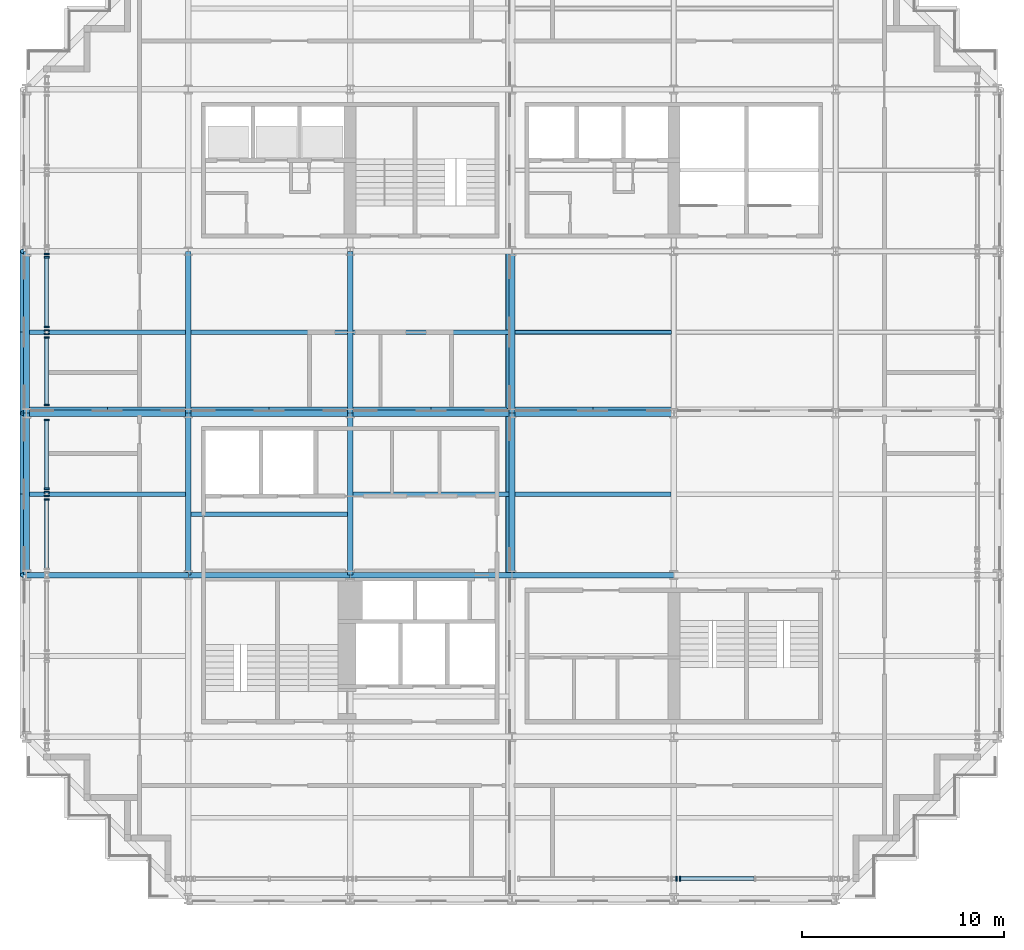
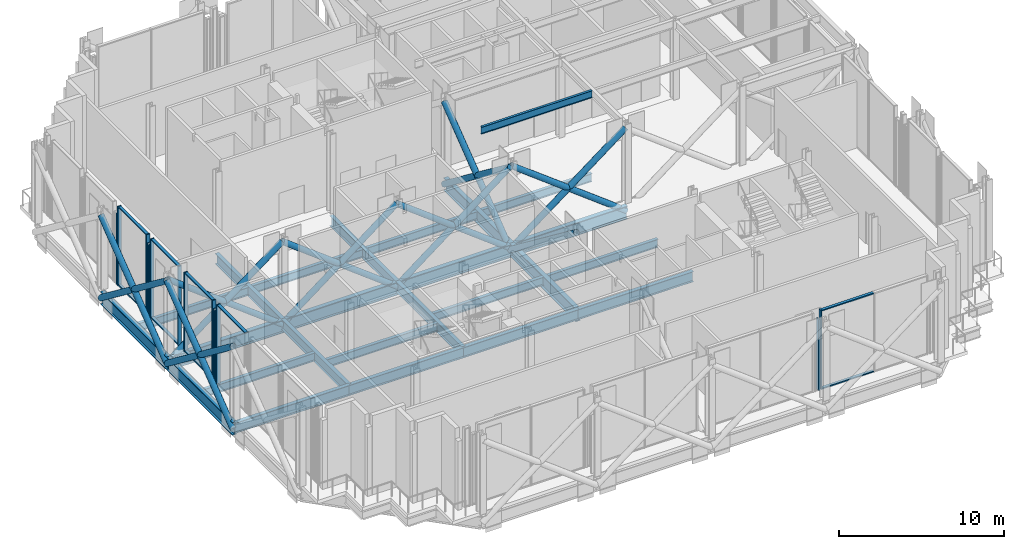
# One storey, part 3 of 25: 38 members, 25 beams, 9 elements without a shape of their own.
"""IFC4 building model written with IfcOpenShell, lengths in metres."""

from ifc_helpers import new_model, si_unit, direction, frame, origin, origin_2d, place, context, subcontext, project, spatial, rectangle, hollow_circle, i_section, extrude, material, material_profile, profile_set, type_object, element, aggregate, save


model = new_model("IFC4")

# Units and contexts
model_context = context("Model", 3, precision=1e-05, world=origin(), true_north=direction((0.0, 1.0)))
body_context = subcontext(model_context, "Body", "Model", "MODEL_VIEW")
ifc_project = project(units=[si_unit("LENGTHUNIT", "METRE"), si_unit("AREAUNIT", "SQUARE_METRE"), si_unit("VOLUMEUNIT", "CUBIC_METRE"), si_unit("PLANEANGLEUNIT", "RADIAN"), si_unit("MASSUNIT", "GRAM", prefix="KILO")], contexts=[model_context])

# Site, building, storey
site_placement = place(None, origin())
site = spatial("IfcSite", under=ifc_project, at=site_placement, CompositionType="ELEMENT")
building_placement = place(site_placement, origin())
building = spatial("IfcBuilding", under=site, at=building_placement, Name="Immortelle Media Tower", CompositionType="ELEMENT")
storey_placement = place(building_placement, frame((0.0, 0.0, 114.0)))
storey = spatial("IfcBuildingStorey", under=building, at=storey_placement, Name="L22", CompositionType="ELEMENT", Elevation=114.0)

# Members
ifc_material_1 = material(Name="Steel ASTM A500 Gr C", Category="steel")
ifc_material_profile_1 = material_profile(ifc_material_1, hollow_circle(Radius=0.202880859375, WallThickness=0.011962890625, at=origin_2d()), Name="HSS16.000x0.500 truss diagonal")
ifc_profile_set_1 = profile_set([ifc_material_profile_1], Name="Steel ASTM A500 Gr C")
member_type_1 = type_object("IfcMemberType", Name="HSS16.000x0.500 truss diagonal", PredefinedType="BRACE", material=ifc_profile_set_1)
for number, where, z_axis, x_axis, name in (
    (1, (-0.113037109375, 16.0, -0.72509765625), (0.0, 0.794648909693, 0.607069279674), (-1.0, 0.0, 0.0), "Belt truss 1/C-D A"),
    (2, (-0.113037109375, 16.0, 5.386474609375), (0.0, 0.794648909693, -0.607069279674), (-1.0, 0.0, 0.0), "Belt truss 1/C-D B"),
    (3, (0.0, 24.113037109375, -0.72509765625), (0.794648909693, 0.0, 0.607069279674), (0.0, 1.0, 0.0), "Belt truss D/1-2 A"),
    (4, (0.0, 24.113037109375, 5.386474609375), (0.794648909693, 0.0, -0.607069279674), (0.0, 1.0, 0.0), "Belt truss D/1-2 B"),
    (5, (-0.113037109375, 24.0, -0.72509765625), (0.0, 0.794648909693, 0.607069279674), (-1.0, 0.0, 0.0), "Belt truss 1/D-E A"),
    (6, (-0.113037109375, 24.0, 5.386474609375), (0.0, 0.794648909693, -0.607069279674), (-1.0, 0.0, 0.0), "Belt truss 1/D-E B"),
    (7, (8.0, 24.113037109375, -0.72509765625), (0.794648909693, 0.0, 0.607069279674), (0.0, 1.0, 0.0), "Belt truss D/2-3 A"),
    (8, (8.0, 24.113037109375, 5.386474609375), (0.794648909693, 0.0, -0.607069279674), (0.0, 1.0, 0.0), "Belt truss D/2-3 B"),
    (9, (16.0, 24.113037109375, -0.72509765625), (0.794648909693, 0.0, 0.607069279674), (0.0, 1.0, 0.0), "Belt truss D/3-4 A"),
    (10, (16.0, 24.113037109375, 5.386474609375), (0.794648909693, 0.0, -0.607069279674), (0.0, 1.0, 0.0), "Belt truss D/3-4 B"),
    (11, (23.886962890625, 16.0, 5.386474609375), (0.0, 0.794648909693, -0.607069279674), (-1.0, 0.0, 0.0), "Belt truss 4/C-D B"),
    (12, (24.0, 24.113037109375, -0.72509765625), (0.794648909693, 0.0, 0.607069279674), (0.0, 1.0, 0.0), "Belt truss D/4-5 A"),
    (13, (24.0, 24.113037109375, 5.386474609375), (0.794648909693, 0.0, -0.607069279674), (0.0, 1.0, 0.0), "Belt truss D/4-5 B"),
    (14, (23.886962890625, 24.0, -0.72509765625), (0.0, 0.794648909693, 0.607069279674), (-1.0, 0.0, 0.0), "Belt truss 4/D-E A"),
    (15, (23.886962890625, 24.0, 5.386474609375), (0.0, 0.794648909693, -0.607069279674), (-1.0, 0.0, 0.0), "Belt truss 4/D-E B"),
):
    element("IfcMember", number, at=place(storey_placement, frame(where, z_axis=z_axis, x_axis=x_axis)), inside=storey, type_object=member_type_1, Name=name, PredefinedType="BRACE", context=body_context, shape_type="SweptSolid", body=[
        extrude(hollow_circle(Radius=0.202880859375, WallThickness=0.011962890625, at=origin_2d()), origin(), (0.0, 0.0, 1.0), 10.0673828125),
    ])

# Curtain wall, member
ifc_material_2 = material(Name="Aluminium curtain wall system", Category="aluminium")
curtain_wall_type = type_object("IfcCurtainWallType", Name="Plant louvre wall curtain wall", PredefinedType="NOTDEFINED", material=ifc_material_2)
curtain_wall_1_placement = place(storey_placement, origin())
curtain_wall_1 = element("IfcCurtainWall", 16, at=curtain_wall_1_placement, inside=storey, type_object=curtain_wall_type, Name="Plant louvre wall L22 S 7-8", PredefinedType="NOTDEFINED")
ifc_material_3 = material(Name="Aluminium 6063-T6", Category="aluminium")
ifc_material_profile_2 = material_profile(ifc_material_3, rectangle(XDim=0.25, YDim=0.080078125, at=origin_2d()), Name="AL 80x250")
ifc_profile_set_2 = profile_set([ifc_material_profile_2], Name="Aluminium 6063-T6")
member_type_2 = type_object("IfcMemberType", Name="Plant louvre wall mullion 80 x 250", PredefinedType="MULLION", material=ifc_profile_set_2)
member_1_placement = place(storey_placement, frame((32.12451171875, 1.0, 0.0), z_axis=(0.0, 0.0, 1.0), x_axis=(0.0, 1.0, 0.0)))
member_1 = element("IfcMember", 17, at=member_1_placement, type_object=member_type_2, Name="CW6 mullion 2", PredefinedType="MULLION", context=body_context, shape_type="SweptSolid", body=[
    extrude(rectangle(XDim=0.25, YDim=0.080078125, at=origin_2d()), origin(), (0.0, 0.0, 1.0), 5.237548828125),
])
aggregate(curtain_wall_1, [member_1])

curtain_wall_2_placement = place(storey_placement, origin())
curtain_wall_2 = element("IfcCurtainWall", 18, at=curtain_wall_2_placement, inside=storey, type_object=curtain_wall_type, Name="Plant louvre wall L22 S 7-9", PredefinedType="NOTDEFINED")
member_2_placement = place(storey_placement, frame((32.29443359375, 1.0, 0.0), z_axis=(0.0, 0.0, 1.0), x_axis=(0.0, 1.0, 0.0)))
member_2 = element("IfcMember", 19, at=member_2_placement, type_object=member_type_2, Name="CW6 mullion 1", PredefinedType="MULLION", context=body_context, shape_type="SweptSolid", body=[
    extrude(rectangle(XDim=0.25, YDim=0.080078125, at=origin_2d()), origin(), (0.0, 0.0, 1.0), 5.849609375),
])

curtain_wall_3_placement = place(storey_placement, origin())
curtain_wall_3 = element("IfcCurtainWall", 20, at=curtain_wall_3_placement, inside=storey, type_object=curtain_wall_type, Name="Plant louvre wall L22 W 28-7", PredefinedType="NOTDEFINED")
member_3_placement = place(storey_placement, frame((1.0, 31.87548828125, 0.0), z_axis=(0.0, 0.0, 1.0), x_axis=(1.0, 0.0, 0.0)))
member_3 = element("IfcMember", 21, at=member_3_placement, type_object=member_type_2, Name="CW6 mullion 2", PredefinedType="MULLION", context=body_context, shape_type="SweptSolid", body=[
    extrude(rectangle(XDim=0.25, YDim=0.080078125, at=origin_2d()), origin(), (0.0, 0.0, 1.0), 5.237548828125),
])
aggregate(curtain_wall_3, [member_3])

# Curtain wall, members
curtain_wall_4_placement = place(storey_placement, origin())
curtain_wall_4 = element("IfcCurtainWall", 22, at=curtain_wall_4_placement, inside=storey, type_object=curtain_wall_type, Name="Plant louvre wall L22 W 28-8", PredefinedType="NOTDEFINED")
member_4_placement = place(storey_placement, frame((1.0, 31.70556640625, 0.0), z_axis=(0.0, 0.0, 1.0), x_axis=(1.0, 0.0, 0.0)))
member_4 = element("IfcMember", 23, at=member_4_placement, type_object=member_type_2, Name="CW6 mullion 1", PredefinedType="MULLION", context=body_context, shape_type="SweptSolid", body=[
    extrude(rectangle(XDim=0.25, YDim=0.080078125, at=origin_2d()), origin(), (0.0, 0.0, 1.0), 5.849609375),
])
member_5_placement = place(storey_placement, frame((1.0, 28.262451171875, 0.0), z_axis=(0.0, 0.0, 1.0), x_axis=(1.0, 0.0, 0.0)))
member_5 = element("IfcMember", 24, at=member_5_placement, type_object=member_type_2, Name="CW6 mullion 2", PredefinedType="MULLION", context=body_context, shape_type="SweptSolid", body=[
    extrude(rectangle(XDim=0.25, YDim=0.080078125, at=origin_2d()), origin(), (0.0, 0.0, 1.0), 5.849609375),
])

curtain_wall_5_placement = place(storey_placement, origin())
curtain_wall_5 = element("IfcCurtainWall", 25, at=curtain_wall_5_placement, inside=storey, type_object=curtain_wall_type, Name="Plant louvre wall L22 W 28-9", PredefinedType="NOTDEFINED")
member_6_placement = place(storey_placement, frame((1.0, 28.092529296875, 0.0), z_axis=(0.0, 0.0, 1.0), x_axis=(1.0, 0.0, 0.0)))
member_6 = element("IfcMember", 26, at=member_6_placement, type_object=member_type_2, Name="CW6 mullion 1", PredefinedType="MULLION", context=body_context, shape_type="SweptSolid", body=[
    extrude(rectangle(XDim=0.25, YDim=0.080078125, at=origin_2d()), origin(), (0.0, 0.0, 1.0), 5.323486328125),
])
member_7_placement = place(storey_placement, frame((1.0, 27.907470703125, 0.0), z_axis=(0.0, 0.0, 1.0), x_axis=(1.0, 0.0, 0.0)))
member_7 = element("IfcMember", 27, at=member_7_placement, type_object=member_type_2, Name="CW6 mullion 2", PredefinedType="MULLION", context=body_context, shape_type="SweptSolid", body=[
    extrude(rectangle(XDim=0.25, YDim=0.080078125, at=origin_2d()), origin(), (0.0, 0.0, 1.0), 5.323486328125),
])
aggregate(curtain_wall_5, [member_6, member_7])

curtain_wall_6_placement = place(storey_placement, origin())
curtain_wall_6 = element("IfcCurtainWall", 28, at=curtain_wall_6_placement, inside=storey, type_object=curtain_wall_type, Name="Plant louvre wall L22 W 28-10", PredefinedType="NOTDEFINED")
member_8_placement = place(storey_placement, frame((1.0, 27.737548828125, 0.0), z_axis=(0.0, 0.0, 1.0), x_axis=(1.0, 0.0, 0.0)))
member_8 = element("IfcMember", 29, at=member_8_placement, type_object=member_type_2, Name="CW6 mullion 1", PredefinedType="MULLION", context=body_context, shape_type="SweptSolid", body=[
    extrude(rectangle(XDim=0.25, YDim=0.080078125, at=origin_2d()), origin(), (0.0, 0.0, 1.0), 5.849609375),
])
member_9_placement = place(storey_placement, frame((1.0, 24.406005859375, 0.0), z_axis=(0.0, 0.0, 1.0), x_axis=(1.0, 0.0, 0.0)))
member_9 = element("IfcMember", 30, at=member_9_placement, type_object=member_type_2, Name="CW6 mullion 2", PredefinedType="MULLION", context=body_context, shape_type="SweptSolid", body=[
    extrude(rectangle(XDim=0.25, YDim=0.080078125, at=origin_2d()), origin(), (0.0, 0.0, 1.0), 5.849609375),
])

curtain_wall_7_placement = place(storey_placement, origin())
curtain_wall_7 = element("IfcCurtainWall", 31, at=curtain_wall_7_placement, inside=storey, type_object=curtain_wall_type, Name="Plant louvre wall L22 W 28-11", PredefinedType="NOTDEFINED")
member_10_placement = place(storey_placement, frame((1.0, 23.66650390625, 0.0), z_axis=(0.0, 0.0, 1.0), x_axis=(1.0, 0.0, 0.0)))
member_10 = element("IfcMember", 32, at=member_10_placement, type_object=member_type_2, Name="CW6 mullion 1", PredefinedType="MULLION", context=body_context, shape_type="SweptSolid", body=[
    extrude(rectangle(XDim=0.25, YDim=0.080078125, at=origin_2d()), origin(), (0.0, 0.0, 1.0), 5.849609375),
])
member_11_placement = place(storey_placement, frame((1.0, 20.262451171875, 0.0), z_axis=(0.0, 0.0, 1.0), x_axis=(1.0, 0.0, 0.0)))
member_11 = element("IfcMember", 33, at=member_11_placement, type_object=member_type_2, Name="CW6 mullion 2", PredefinedType="MULLION", context=body_context, shape_type="SweptSolid", body=[
    extrude(rectangle(XDim=0.25, YDim=0.080078125, at=origin_2d()), origin(), (0.0, 0.0, 1.0), 5.849609375),
])

curtain_wall_8_placement = place(storey_placement, origin())
curtain_wall_8 = element("IfcCurtainWall", 34, at=curtain_wall_8_placement, inside=storey, type_object=curtain_wall_type, Name="Plant louvre wall L22 W 28-12", PredefinedType="NOTDEFINED")
member_12_placement = place(storey_placement, frame((1.0, 20.092529296875, 0.0), z_axis=(0.0, 0.0, 1.0), x_axis=(1.0, 0.0, 0.0)))
member_12 = element("IfcMember", 35, at=member_12_placement, type_object=member_type_2, Name="CW6 mullion 1", PredefinedType="MULLION", context=body_context, shape_type="SweptSolid", body=[
    extrude(rectangle(XDim=0.25, YDim=0.080078125, at=origin_2d()), origin(), (0.0, 0.0, 1.0), 5.323486328125),
])
member_13_placement = place(storey_placement, frame((1.0, 19.907470703125, 0.0), z_axis=(0.0, 0.0, 1.0), x_axis=(1.0, 0.0, 0.0)))
member_13 = element("IfcMember", 36, at=member_13_placement, type_object=member_type_2, Name="CW6 mullion 2", PredefinedType="MULLION", context=body_context, shape_type="SweptSolid", body=[
    extrude(rectangle(XDim=0.25, YDim=0.080078125, at=origin_2d()), origin(), (0.0, 0.0, 1.0), 5.323486328125),
])
aggregate(curtain_wall_8, [member_12, member_13])

# Curtain wall, member
curtain_wall_9_placement = place(storey_placement, origin())
curtain_wall_9 = element("IfcCurtainWall", 37, at=curtain_wall_9_placement, inside=storey, type_object=curtain_wall_type, Name="Plant louvre wall L22 W 28-13", PredefinedType="NOTDEFINED")
member_14_placement = place(storey_placement, frame((1.0, 19.737548828125, 0.0), z_axis=(0.0, 0.0, 1.0), x_axis=(1.0, 0.0, 0.0)))
member_14 = element("IfcMember", 38, at=member_14_placement, type_object=member_type_2, Name="CW6 mullion 1", PredefinedType="MULLION", context=body_context, shape_type="SweptSolid", body=[
    extrude(rectangle(XDim=0.25, YDim=0.080078125, at=origin_2d()), origin(), (0.0, 0.0, 1.0), 5.849609375),
])

# Member
ifc_material_profile_3 = material_profile(ifc_material_3, rectangle(XDim=0.199951171875, YDim=0.080078125, at=origin_2d()), Name="AL 80x200")
ifc_profile_set_3 = profile_set([ifc_material_profile_3], Name="Aluminium 6063-T6")
member_type_3 = type_object("IfcMemberType", Name="Plant louvre wall transom 80 x 200", PredefinedType="USERDEFINED", material=ifc_profile_set_3)
member_15_placement = place(storey_placement, frame((32.33447265625, 1.0, 0.0400390625), z_axis=(1.0, 0.0, 0.0), x_axis=(0.0, 1.0, 0.0)))
member_15 = element("IfcMember", 39, at=member_15_placement, type_object=member_type_3, Name="CW6 transom 1.1", ObjectType="TRANSOM", PredefinedType="USERDEFINED", context=body_context, shape_type="SweptSolid", body=[
    extrude(rectangle(XDim=0.199951171875, YDim=0.080078125, at=origin_2d()), origin(), (0.0, 0.0, 1.0), 3.62548828125),
])

member_16_placement = place(storey_placement, frame((32.33447265625, 1.0, 5.8095703125), z_axis=(1.0, 0.0, 0.0), x_axis=(0.0, 1.0, 0.0)))
member_16 = element("IfcMember", 40, at=member_16_placement, type_object=member_type_3, Name="CW6 transom 1.2", ObjectType="TRANSOM", PredefinedType="USERDEFINED", context=body_context, shape_type="SweptSolid", body=[
    extrude(rectangle(XDim=0.199951171875, YDim=0.080078125, at=origin_2d()), origin(), (0.0, 0.0, 1.0), 3.62548828125),
])

aggregate(curtain_wall_2, [member_2, member_15, member_16])

member_17_placement = place(storey_placement, frame((1.0, 31.66552734375, 0.0400390625), z_axis=(0.0, -1.0, 0.0), x_axis=(1.0, 0.0, 0.0)))
member_17 = element("IfcMember", 41, at=member_17_placement, type_object=member_type_3, Name="CW6 transom 1.1", ObjectType="TRANSOM", PredefinedType="USERDEFINED", context=body_context, shape_type="SweptSolid", body=[
    extrude(rectangle(XDim=0.199951171875, YDim=0.080078125, at=origin_2d()), origin(), (0.0, 0.0, 1.0), 3.363037109375),
])

member_18_placement = place(storey_placement, frame((1.0, 31.66552734375, 5.8095703125), z_axis=(0.0, -1.0, 0.0), x_axis=(1.0, 0.0, 0.0)))
member_18 = element("IfcMember", 42, at=member_18_placement, type_object=member_type_3, Name="CW6 transom 1.2", ObjectType="TRANSOM", PredefinedType="USERDEFINED", context=body_context, shape_type="SweptSolid", body=[
    extrude(rectangle(XDim=0.199951171875, YDim=0.080078125, at=origin_2d()), origin(), (0.0, 0.0, 1.0), 3.363037109375),
])

aggregate(curtain_wall_4, [member_4, member_5, member_17, member_18])

member_19_placement = place(storey_placement, frame((1.0, 27.697509765625, 0.0400390625), z_axis=(0.0, -1.0, 0.0), x_axis=(1.0, 0.0, 0.0)))
member_19 = element("IfcMember", 43, at=member_19_placement, type_object=member_type_3, Name="CW6 transom 1.1", ObjectType="TRANSOM", PredefinedType="USERDEFINED", context=body_context, shape_type="SweptSolid", body=[
    extrude(rectangle(XDim=0.199951171875, YDim=0.080078125, at=origin_2d()), origin(), (0.0, 0.0, 1.0), 3.25146484375),
])

member_20_placement = place(storey_placement, frame((1.0, 27.697509765625, 5.8095703125), z_axis=(0.0, -1.0, 0.0), x_axis=(1.0, 0.0, 0.0)))
member_20 = element("IfcMember", 44, at=member_20_placement, type_object=member_type_3, Name="CW6 transom 1.2", ObjectType="TRANSOM", PredefinedType="USERDEFINED", context=body_context, shape_type="SweptSolid", body=[
    extrude(rectangle(XDim=0.199951171875, YDim=0.080078125, at=origin_2d()), origin(), (0.0, 0.0, 1.0), 3.25146484375),
])

aggregate(curtain_wall_6, [member_8, member_9, member_19, member_20])

member_21_placement = place(storey_placement, frame((1.0, 23.62646484375, 0.0400390625), z_axis=(0.0, -1.0, 0.0), x_axis=(1.0, 0.0, 0.0)))
member_21 = element("IfcMember", 45, at=member_21_placement, type_object=member_type_3, Name="CW6 transom 1.1", ObjectType="TRANSOM", PredefinedType="USERDEFINED", context=body_context, shape_type="SweptSolid", body=[
    extrude(rectangle(XDim=0.199951171875, YDim=0.080078125, at=origin_2d()), origin(), (0.0, 0.0, 1.0), 3.323974609375),
])

member_22_placement = place(storey_placement, frame((1.0, 23.62646484375, 5.8095703125), z_axis=(0.0, -1.0, 0.0), x_axis=(1.0, 0.0, 0.0)))
member_22 = element("IfcMember", 46, at=member_22_placement, type_object=member_type_3, Name="CW6 transom 1.2", ObjectType="TRANSOM", PredefinedType="USERDEFINED", context=body_context, shape_type="SweptSolid", body=[
    extrude(rectangle(XDim=0.199951171875, YDim=0.080078125, at=origin_2d()), origin(), (0.0, 0.0, 1.0), 3.323974609375),
])

aggregate(curtain_wall_7, [member_10, member_11, member_21, member_22])

member_23_placement = place(storey_placement, frame((1.0, 19.697509765625, 5.8095703125), z_axis=(0.0, -1.0, 0.0), x_axis=(1.0, 0.0, 0.0)))
member_23 = element("IfcMember", 47, at=member_23_placement, type_object=member_type_3, Name="CW6 transom 1.2", ObjectType="TRANSOM", PredefinedType="USERDEFINED", context=body_context, shape_type="SweptSolid", body=[
    extrude(rectangle(XDim=0.199951171875, YDim=0.080078125, at=origin_2d()), origin(), (0.0, 0.0, 1.0), 3.363037109375),
])

aggregate(curtain_wall_9, [member_14, member_23])

# Beams
ifc_material_4 = material(Name="Steel ASTM A992 Gr 50", Category="steel")
ifc_material_profile_4 = material_profile(ifc_material_4, i_section(OverallWidth=0.1650390625, OverallDepth=0.52587890625, WebThickness=0.009033203125, FlangeThickness=0.010986328125, at=origin_2d()), Name="W21x44")
ifc_profile_set_4 = profile_set([ifc_material_profile_4], Name="Steel ASTM A992 Gr 50")
beam_type_1 = type_object("IfcBeamType", Name="W21x44 secondary beam", PredefinedType="JOIST", material=ifc_profile_set_4)
beam_1_placement = place(storey_placement, frame((24.153564453125, 28.0, 5.5869140625), z_axis=(1.0, 0.0, 0.0), x_axis=(0.0, 1.0, 0.0)))
element("IfcBeam", 48, at=beam_1_placement, inside=storey, type_object=beam_type_1, Name="Beam D-E/4-5", PredefinedType="JOIST", context=body_context, shape_type="SweptSolid", body=[
    extrude(i_section(OverallWidth=0.1650390625, OverallDepth=0.52587890625, WebThickness=0.009033203125, FlangeThickness=0.010986328125, at=origin_2d()), origin(), (0.0, 0.0, 1.0), 7.73193359375),
])
ifc_material_profile_5 = material_profile(ifc_material_4, i_section(OverallWidth=0.22802734375, OverallDepth=0.60205078125, WebThickness=0.010986328125, FlangeThickness=0.014892578125, at=origin_2d()), Name="W24x68")
ifc_profile_set_5 = profile_set([ifc_material_profile_5], Name="Steel ASTM A992 Gr 50")
beam_type_2 = type_object("IfcBeamType", Name="W24x68 secondary beam", PredefinedType="JOIST", material=ifc_profile_set_5)
beam_2_placement = place(storey_placement, frame((0.155029296875, 20.0, -0.551025390625), z_axis=(1.0, 0.0, 0.0), x_axis=(0.0, 1.0, 0.0)))
element("IfcBeam", 49, at=beam_2_placement, inside=storey, type_object=beam_type_2, Name="Beam C-D/1-2", PredefinedType="JOIST", context=body_context, shape_type="SweptSolid", body=[
    extrude(i_section(OverallWidth=0.22802734375, OverallDepth=0.60205078125, WebThickness=0.010986328125, FlangeThickness=0.014892578125, at=origin_2d()), origin(), (0.0, 0.0, 1.0), 7.71142578125),
])
beam_3_placement = place(storey_placement, frame((8.133544921875, 19.0, -0.551025390625), z_axis=(1.0, 0.0, 0.0), x_axis=(0.0, 1.0, 0.0)))
element("IfcBeam", 50, at=beam_3_placement, inside=storey, type_object=beam_type_2, Name="Beam C-D/2-3", PredefinedType="JOIST", context=body_context, shape_type="SweptSolid", body=[
    extrude(i_section(OverallWidth=0.22802734375, OverallDepth=0.60205078125, WebThickness=0.010986328125, FlangeThickness=0.014892578125, at=origin_2d()), origin(), (0.0, 0.0, 1.0), 7.73291015625),
])
for number, where, z_axis, x_axis, name in (
    (51, (16.133544921875, 20.0, -0.551025390625), (1.0, 0.0, 0.0), (0.0, 1.0, 0.0), "Beam C-D/3-4"),
    (52, (24.155029296875, 20.0, -0.551025390625), (1.0, 0.0, 0.0), (0.0, 1.0, 0.0), "Beam C-D/4-5"),
    (53, (0.155029296875, 28.0, -0.551025390625), (1.0, 0.0, 0.0), (0.0, 1.0, 0.0), "Beam D-E/1-2"),
):
    element("IfcBeam", number, at=place(storey_placement, frame(where, z_axis=z_axis, x_axis=x_axis)), inside=storey, type_object=beam_type_2, Name=name, PredefinedType="JOIST", context=body_context, shape_type="SweptSolid", body=[
        extrude(i_section(OverallWidth=0.22802734375, OverallDepth=0.60205078125, WebThickness=0.010986328125, FlangeThickness=0.014892578125, at=origin_2d()), origin(), (0.0, 0.0, 1.0), 7.71142578125),
    ])
beam_4_placement = place(storey_placement, frame((8.133544921875, 28.0, -0.551025390625), z_axis=(1.0, 0.0, 0.0), x_axis=(0.0, 1.0, 0.0)))
element("IfcBeam", 54, at=beam_4_placement, inside=storey, type_object=beam_type_2, Name="Beam D-E/2-3", PredefinedType="JOIST", context=body_context, shape_type="SweptSolid", body=[
    extrude(i_section(OverallWidth=0.22802734375, OverallDepth=0.60205078125, WebThickness=0.010986328125, FlangeThickness=0.014892578125, at=origin_2d()), origin(), (0.0, 0.0, 1.0), 7.73291015625),
])
for number, where, z_axis, x_axis, name in (
    (55, (16.133544921875, 28.0, -0.551025390625), (1.0, 0.0, 0.0), (0.0, 1.0, 0.0), "Beam D-E/3-4"),
    (56, (24.155029296875, 28.0, -0.551025390625), (1.0, 0.0, 0.0), (0.0, 1.0, 0.0), "Beam D-E/4-5"),
):
    element("IfcBeam", number, at=place(storey_placement, frame(where, z_axis=z_axis, x_axis=x_axis)), inside=storey, type_object=beam_type_2, Name=name, PredefinedType="JOIST", context=body_context, shape_type="SweptSolid", body=[
        extrude(i_section(OverallWidth=0.22802734375, OverallDepth=0.60205078125, WebThickness=0.010986328125, FlangeThickness=0.014892578125, at=origin_2d()), origin(), (0.0, 0.0, 1.0), 7.71142578125),
    ])
ifc_material_profile_6 = material_profile(ifc_material_4, i_section(OverallWidth=0.26708984375, OverallDepth=0.761962890625, WebThickness=0.013916015625, FlangeThickness=0.02197265625, at=origin_2d()), Name="W30x116")
ifc_profile_set_6 = profile_set([ifc_material_profile_6], Name="Steel ASTM A992 Gr 50")
beam_type_3 = type_object("IfcBeamType", Name="W30x116 girder", PredefinedType="BEAM", material=ifc_profile_set_6)
for number, where, z_axis, x_axis, name in (
    (57, (0.0, 16.0, -0.631103515625), (1.0, 0.0, 0.0), (0.0, 1.0, 0.0), "Girder C/1-2"),
    (58, (8.0, 16.0, -0.631103515625), (1.0, 0.0, 0.0), (0.0, 1.0, 0.0), "Girder C/2-3"),
    (59, (8.0, 16.0, -0.631103515625), (0.0, 1.0, 0.0), (-1.0, 0.0, 0.0), "Girder 2/C-D"),
    (60, (8.0, 24.0, -0.631103515625), (0.0, 1.0, 0.0), (-1.0, 0.0, 0.0), "Girder 2/D-E"),
    (61, (16.0, 16.0, -0.631103515625), (1.0, 0.0, 0.0), (0.0, 1.0, 0.0), "Girder C/3-4"),
    (62, (16.0, 16.0, -0.631103515625), (0.0, 1.0, 0.0), (-1.0, 0.0, 0.0), "Girder 3/C-D"),
    (63, (16.0, 24.0, -0.631103515625), (0.0, 1.0, 0.0), (-1.0, 0.0, 0.0), "Girder 3/D-E"),
    (64, (24.0, 16.0, -0.631103515625), (1.0, 0.0, 0.0), (0.0, 1.0, 0.0), "Girder C/4-5"),
):
    element("IfcBeam", number, at=place(storey_placement, frame(where, z_axis=z_axis, x_axis=x_axis)), inside=storey, type_object=beam_type_3, Name=name, PredefinedType="BEAM", context=body_context, shape_type="SweptSolid", body=[
        extrude(i_section(OverallWidth=0.26708984375, OverallDepth=0.761962890625, WebThickness=0.013916015625, FlangeThickness=0.02197265625, at=origin_2d()), origin(), (0.0, 0.0, 1.0), 8.0),
    ])
ifc_material_profile_7 = material_profile(ifc_material_4, i_section(OverallWidth=0.31005859375, OverallDepth=0.949951171875, WebThickness=0.02392578125, FlangeThickness=0.0439453125, at=origin_2d()), Name="W36x256")
ifc_profile_set_7 = profile_set([ifc_material_profile_7], Name="Steel ASTM A992 Gr 50")
beam_type_4 = type_object("IfcBeamType", Name="W36x256 perimeter girder", PredefinedType="SPANDREL", material=ifc_profile_set_7)
for number, where, z_axis, x_axis, name in (
    (65, (0.0, 16.0, -0.72509765625), (0.0, 1.0, 0.0), (-1.0, 0.0, 0.0), "Girder 1/C-D"),
    (66, (0.0, 24.0, -0.72509765625), (1.0, 0.0, 0.0), (0.0, 1.0, 0.0), "Girder D/1-2"),
    (67, (0.0, 24.0, -0.72509765625), (0.0, 1.0, 0.0), (-1.0, 0.0, 0.0), "Girder 1/D-E"),
    (68, (8.0, 24.0, -0.72509765625), (1.0, 0.0, 0.0), (0.0, 1.0, 0.0), "Girder D/2-3"),
    (69, (16.0, 24.0, -0.72509765625), (1.0, 0.0, 0.0), (0.0, 1.0, 0.0), "Girder D/3-4"),
    (70, (24.0, 16.0, -0.72509765625), (0.0, 1.0, 0.0), (-1.0, 0.0, 0.0), "Girder 4/C-D"),
    (71, (24.0, 24.0, -0.72509765625), (1.0, 0.0, 0.0), (0.0, 1.0, 0.0), "Girder D/4-5"),
    (72, (24.0, 24.0, -0.72509765625), (0.0, 1.0, 0.0), (-1.0, 0.0, 0.0), "Girder 4/D-E"),
):
    element("IfcBeam", number, at=place(storey_placement, frame(where, z_axis=z_axis, x_axis=x_axis)), inside=storey, type_object=beam_type_4, Name=name, PredefinedType="SPANDREL", context=body_context, shape_type="SweptSolid", body=[
        extrude(i_section(OverallWidth=0.31005859375, OverallDepth=0.949951171875, WebThickness=0.02392578125, FlangeThickness=0.0439453125, at=origin_2d()), origin(), (0.0, 0.0, 1.0), 8.0),
    ])

save(model, "model.ifc")
